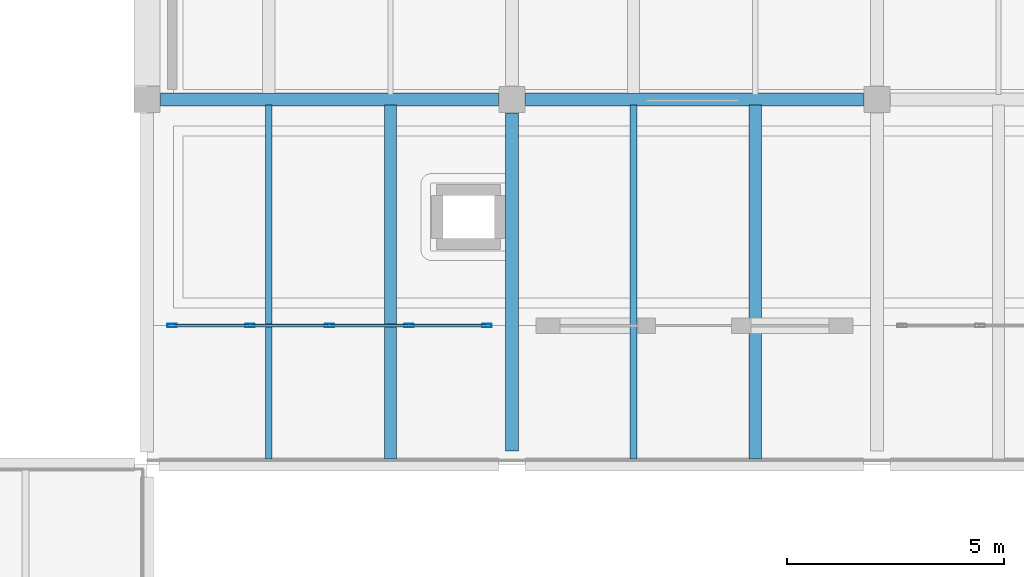
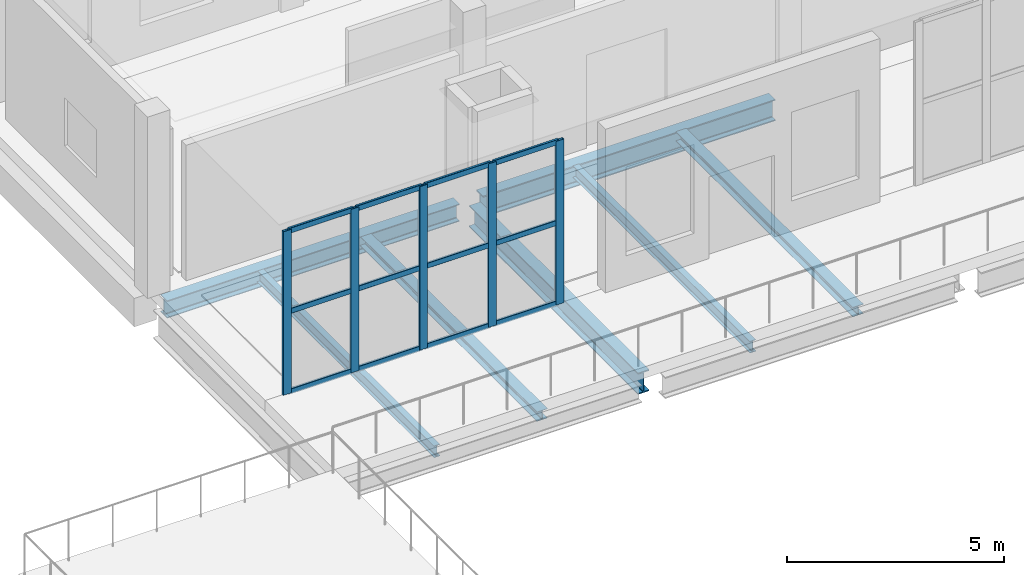
# One storey, part 28 of 77: 17 members, 7 beams, 1 element without a shape of its own.
"""IFC4 building model written with IfcOpenShell, lengths in metres."""

from ifc_helpers import new_model, si_unit, direction, frame, origin, origin_2d, place, context, subcontext, project, spatial, hollow_rectangle, i_section, extrude, material, layer, layer_set, material_profile, profile_set, type_object, element, aggregate, save


model = new_model("IFC4")

# Units and contexts
model_context = context("Model", 3, precision=1e-05, world=origin(), true_north=direction((0.0, 1.0)))
body_context = subcontext(model_context, "Body", "Model", "MODEL_VIEW")
ifc_project = project(units=[si_unit("LENGTHUNIT", "METRE"), si_unit("AREAUNIT", "SQUARE_METRE"), si_unit("VOLUMEUNIT", "CUBIC_METRE"), si_unit("PLANEANGLEUNIT", "RADIAN"), si_unit("MASSUNIT", "GRAM", prefix="KILO")], contexts=[model_context])

# Site, building, storey
site_placement = place(None, origin())
site = spatial("IfcSite", under=ifc_project, at=site_placement, CompositionType="ELEMENT")
building_placement = place(site_placement, origin())
building = spatial("IfcBuilding", under=site, at=building_placement, Name="Zulmaris Art Gallery", CompositionType="ELEMENT")
storey_placement = place(building_placement, frame((0.0, 0.0, 15.60009765625)))
storey = spatial("IfcBuildingStorey", under=building, at=storey_placement, Name="L03", CompositionType="ELEMENT", Elevation=15.60009765625)

# Beams
ifc_material_1 = material(Name="Steel S355J2", Category="steel")
ifc_material_profile_1 = material_profile(ifc_material_1, i_section(OverallWidth=0.300048828125, OverallDepth=0.489990234375, WebThickness=0.011962890625, FlangeThickness=0.02294921875, FilletRadius=0.027099609375, at=origin_2d()), Name="HEA 500")
ifc_profile_set_1 = profile_set([ifc_material_profile_1], Name="Steel S355J2")
beam_type_1 = type_object("IfcBeamType", Name="BEAM-BM11", PredefinedType="BEAM", material=ifc_profile_set_1)
beam_1_placement = place(storey_placement, frame((91.510009765625, 67.199951171875, -0.614990234375), z_axis=(1.0, 0.0, 0.0), x_axis=(0.0, 1.0, 0.0)))
element("IfcBeam", 1, at=beam_1_placement, inside=storey, type_object=beam_type_1, Name="L03 X-girder (91.2..99.6, y=67.2)", PredefinedType="BEAM", context=body_context, shape_type="SweptSolid", body=[
    extrude(i_section(OverallWidth=0.300048828125, OverallDepth=0.489990234375, WebThickness=0.011962890625, FlangeThickness=0.02294921875, FilletRadius=0.027099609375, at=origin_2d()), origin(), (0.0, 0.0, 1.0), 7.780029296875),
])
ifc_material_profile_2 = material_profile(ifc_material_1, i_section(OverallWidth=0.300048828125, OverallDepth=0.60009765625, WebThickness=0.015380859375, FlangeThickness=0.030029296875, FilletRadius=0.027099609375, at=origin_2d()), Name="HEB 600")
ifc_profile_set_2 = profile_set([ifc_material_profile_2], Name="Steel S355J2")
beam_type_2 = type_object("IfcBeamType", Name="BEAM-BM15", PredefinedType="BEAM", material=ifc_profile_set_2)
beam_2_placement = place(storey_placement, frame((99.909912109375, 67.199951171875, -0.670166015625), z_axis=(1.0, 0.0, 0.0), x_axis=(0.0, 1.0, 0.0)))
element("IfcBeam", 2, at=beam_2_placement, inside=storey, type_object=beam_type_2, Name="L03 X-girder (99.6..108.0, y=67.2)", PredefinedType="BEAM", context=body_context, shape_type="SweptSolid", body=[
    extrude(i_section(OverallWidth=0.300048828125, OverallDepth=0.60009765625, WebThickness=0.015380859375, FlangeThickness=0.030029296875, FilletRadius=0.027099609375, at=origin_2d()), origin(), (0.0, 0.0, 1.0), 7.780029296875),
])
beam_3_placement = place(storey_placement, frame((99.60009765625, 59.110107421875, -0.670166015625), z_axis=(0.0, 1.0, 0.0), x_axis=(-1.0, 0.0, 0.0)))
element("IfcBeam", 3, at=beam_3_placement, inside=storey, type_object=beam_type_2, Name="L03 Y-girder (x=99.6, 58.8..67.2)", PredefinedType="BEAM", context=body_context, shape_type="SweptSolid", body=[
    extrude(i_section(OverallWidth=0.300048828125, OverallDepth=0.60009765625, WebThickness=0.015380859375, FlangeThickness=0.030029296875, FilletRadius=0.027099609375, at=origin_2d()), origin(), (0.0, 0.0, 1.0), 7.77978515625),
])
ifc_material_profile_3 = material_profile(ifc_material_1, i_section(OverallWidth=0.159912109375, OverallDepth=0.330078125, WebThickness=0.007568359375, FlangeThickness=0.011474609375, FilletRadius=0.01806640625, at=origin_2d()), Name="IPE 330")
ifc_profile_set_3 = profile_set([ifc_material_profile_3], Name="Steel S355J2")
beam_type_3 = type_object("IfcBeamType", Name="BEAM-JS03", PredefinedType="JOIST", material=ifc_profile_set_3)
for number, where, z_axis, x_axis, name in (
    (4, (94.0, 58.925048828125, -0.53515625), (0.0, 1.0, 0.0), (-1.0, 0.0, 0.0), "L03 secondary joist at x=94.0"),
    (5, (102.39990234375, 58.925048828125, -0.53515625), (0.0, 1.0, 0.0), (-1.0, 0.0, 0.0), "L03 secondary joist at x=102.4"),
):
    element("IfcBeam", number, at=place(storey_placement, frame(where, z_axis=z_axis, x_axis=x_axis)), inside=storey, type_object=beam_type_3, Name=name, PredefinedType="JOIST", context=body_context, shape_type="SweptSolid", body=[
        extrude(i_section(OverallWidth=0.159912109375, OverallDepth=0.330078125, WebThickness=0.007568359375, FlangeThickness=0.011474609375, FilletRadius=0.01806640625, at=origin_2d()), origin(), (0.0, 0.0, 1.0), 8.14990234375),
    ])
ifc_material_profile_4 = material_profile(ifc_material_1, i_section(OverallWidth=0.280029296875, OverallDepth=0.27001953125, WebThickness=0.008056640625, FlangeThickness=0.012939453125, FilletRadius=0.02392578125, at=origin_2d()), Name="HEA 280")
ifc_profile_set_4 = profile_set([ifc_material_profile_4], Name="Steel S355J2")
beam_type_4 = type_object("IfcBeamType", Name="BEAM-JS04", PredefinedType="JOIST", material=ifc_profile_set_4)
for number, where, z_axis, x_axis, name in (
    (6, (96.800048828125, 58.925048828125, -0.505126953125), (0.0, 1.0, 0.0), (-1.0, 0.0, 0.0), "L03 secondary joist at x=96.8"),
    (7, (105.199951171875, 58.925048828125, -0.505126953125), (0.0, 1.0, 0.0), (-1.0, 0.0, 0.0), "L03 secondary joist at x=105.2"),
):
    element("IfcBeam", number, at=place(storey_placement, frame(where, z_axis=z_axis, x_axis=x_axis)), inside=storey, type_object=beam_type_4, Name=name, PredefinedType="JOIST", context=body_context, shape_type="SweptSolid", body=[
        extrude(i_section(OverallWidth=0.280029296875, OverallDepth=0.27001953125, WebThickness=0.008056640625, FlangeThickness=0.012939453125, FilletRadius=0.02392578125, at=origin_2d()), origin(), (0.0, 0.0, 1.0), 8.14990234375),
    ])

# Curtain wall, members
ifc_material_2 = material(Name="Unitised Low-E Gallery Curtain Wall", Category="aluminium")
ifc_layer = layer(ifc_material_2, 0.179931640625)
ifc_layer_set = layer_set([ifc_layer], Name="Unitised Low-E Gallery Curtain Wall")
curtain_wall_type = type_object("IfcCurtainWallType", Name="CW-CW01", PredefinedType="NOTDEFINED", material=ifc_layer_set)
curtain_wall_placement = place(storey_placement, origin())
curtain_wall = element("IfcCurtainWall", 8, at=curtain_wall_placement, inside=storey, type_object=curtain_wall_type, Name="L03 curtain wall 114", PredefinedType="NOTDEFINED")
ifc_material_3 = material(Name="Anodised Bronze Aluminium", Category="aluminium")
ifc_material_profile_5 = material_profile(ifc_material_3, hollow_rectangle(XDim=0.074951171875, YDim=0.219970703125, WallThickness=0.0048828125, InnerFilletRadius=0.007568359375, OuterFilletRadius=0.012451171875, at=origin_2d()), Name="ALU 75x220x5")
ifc_profile_set_5 = profile_set([ifc_material_profile_5], Name="Anodised Bronze Aluminium")
member_type_1 = type_object("IfcMemberType", Name="CWMUL-02", PredefinedType="MULLION", material=ifc_profile_set_5)
member_1_placement = place(storey_placement, frame((91.777587890625, 62.0, 0.0), z_axis=(0.0, 0.0, 1.0), x_axis=(0.0, 1.0, 0.0)))
member_1 = element("IfcMember", 9, at=member_1_placement, type_object=member_type_1, Name="CW01 mullion 1", PredefinedType="MULLION", context=body_context, shape_type="SweptSolid", body=[
    extrude(hollow_rectangle(XDim=0.074951171875, YDim=0.219970703125, WallThickness=0.0048828125, InnerFilletRadius=0.007568359375, OuterFilletRadius=0.012451171875, at=origin_2d()), origin(), (0.0, 0.0, 1.0), 4.599853515625),
])
member_2_placement = place(storey_placement, frame((93.570068359375, 62.0, 0.0), z_axis=(0.0, 0.0, 1.0), x_axis=(0.0, 1.0, 0.0)))
member_2 = element("IfcMember", 10, at=member_2_placement, type_object=member_type_1, Name="CW01 mullion 2", PredefinedType="MULLION", context=body_context, shape_type="SweptSolid", body=[
    extrude(hollow_rectangle(XDim=0.074951171875, YDim=0.219970703125, WallThickness=0.0048828125, InnerFilletRadius=0.007568359375, OuterFilletRadius=0.012451171875, at=origin_2d()), origin(), (0.0, 0.0, 1.0), 4.599853515625),
])
member_3_placement = place(storey_placement, frame((95.39990234375, 62.0, 0.0), z_axis=(0.0, 0.0, 1.0), x_axis=(0.0, 1.0, 0.0)))
member_3 = element("IfcMember", 11, at=member_3_placement, type_object=member_type_1, Name="CW01 mullion 3", PredefinedType="MULLION", context=body_context, shape_type="SweptSolid", body=[
    extrude(hollow_rectangle(XDim=0.074951171875, YDim=0.219970703125, WallThickness=0.0048828125, InnerFilletRadius=0.007568359375, OuterFilletRadius=0.012451171875, at=origin_2d()), origin(), (0.0, 0.0, 1.0), 4.599853515625),
])
member_4_placement = place(storey_placement, frame((97.22998046875, 62.0, 0.0), z_axis=(0.0, 0.0, 1.0), x_axis=(0.0, 1.0, 0.0)))
member_4 = element("IfcMember", 12, at=member_4_placement, type_object=member_type_1, Name="CW01 mullion 4", PredefinedType="MULLION", context=body_context, shape_type="SweptSolid", body=[
    extrude(hollow_rectangle(XDim=0.074951171875, YDim=0.219970703125, WallThickness=0.0048828125, InnerFilletRadius=0.007568359375, OuterFilletRadius=0.012451171875, at=origin_2d()), origin(), (0.0, 0.0, 1.0), 4.599853515625),
])
member_5_placement = place(storey_placement, frame((99.0224609375, 62.0, 0.0), z_axis=(0.0, 0.0, 1.0), x_axis=(0.0, 1.0, 0.0)))
member_5 = element("IfcMember", 13, at=member_5_placement, type_object=member_type_1, Name="CW01 mullion 5", PredefinedType="MULLION", context=body_context, shape_type="SweptSolid", body=[
    extrude(hollow_rectangle(XDim=0.074951171875, YDim=0.219970703125, WallThickness=0.0048828125, InnerFilletRadius=0.007568359375, OuterFilletRadius=0.012451171875, at=origin_2d()), origin(), (0.0, 0.0, 1.0), 4.599853515625),
])
ifc_material_profile_6 = material_profile(ifc_material_3, hollow_rectangle(XDim=0.06494140625, YDim=0.14990234375, WallThickness=0.00390625, InnerFilletRadius=0.006103515625, OuterFilletRadius=0.010009765625, at=origin_2d()), Name="ALU 65x150x4")
ifc_profile_set_6 = profile_set([ifc_material_profile_6], Name="Anodised Bronze Aluminium")
member_type_2 = type_object("IfcMemberType", Name="CWTRN-01", PredefinedType="USERDEFINED", material=ifc_profile_set_6)
member_6_placement = place(storey_placement, frame((91.81494140625, 62.0, 0.037353515625), z_axis=(1.0, 0.0, 0.0), x_axis=(0.0, 1.0, 0.0)))
member_6 = element("IfcMember", 14, at=member_6_placement, type_object=member_type_2, Name="CW01 transom 1.1", ObjectType="TRANSOM", PredefinedType="USERDEFINED", context=body_context, shape_type="SweptSolid", body=[
    extrude(hollow_rectangle(XDim=0.06494140625, YDim=0.14990234375, WallThickness=0.00390625, InnerFilletRadius=0.006103515625, OuterFilletRadius=0.010009765625, at=origin_2d()), origin(), (0.0, 0.0, 1.0), 1.717529296875),
])
member_7_placement = place(storey_placement, frame((91.81494140625, 62.0, 2.2998046875), z_axis=(1.0, 0.0, 0.0), x_axis=(0.0, 1.0, 0.0)))
member_7 = element("IfcMember", 15, at=member_7_placement, type_object=member_type_2, Name="CW01 transom 1.2", ObjectType="TRANSOM", PredefinedType="USERDEFINED", context=body_context, shape_type="SweptSolid", body=[
    extrude(hollow_rectangle(XDim=0.06494140625, YDim=0.14990234375, WallThickness=0.00390625, InnerFilletRadius=0.006103515625, OuterFilletRadius=0.010009765625, at=origin_2d()), origin(), (0.0, 0.0, 1.0), 1.717529296875),
])
member_8_placement = place(storey_placement, frame((91.81494140625, 62.0, 4.5625), z_axis=(1.0, 0.0, 0.0), x_axis=(0.0, 1.0, 0.0)))
member_8 = element("IfcMember", 16, at=member_8_placement, type_object=member_type_2, Name="CW01 transom 1.3", ObjectType="TRANSOM", PredefinedType="USERDEFINED", context=body_context, shape_type="SweptSolid", body=[
    extrude(hollow_rectangle(XDim=0.06494140625, YDim=0.14990234375, WallThickness=0.00390625, InnerFilletRadius=0.006103515625, OuterFilletRadius=0.010009765625, at=origin_2d()), origin(), (0.0, 0.0, 1.0), 1.717529296875),
])
member_9_placement = place(storey_placement, frame((93.607421875, 62.0, 0.037353515625), z_axis=(1.0, 0.0, 0.0), x_axis=(0.0, 1.0, 0.0)))
member_9 = element("IfcMember", 17, at=member_9_placement, type_object=member_type_2, Name="CW01 transom 2.1", ObjectType="TRANSOM", PredefinedType="USERDEFINED", context=body_context, shape_type="SweptSolid", body=[
    extrude(hollow_rectangle(XDim=0.06494140625, YDim=0.14990234375, WallThickness=0.00390625, InnerFilletRadius=0.006103515625, OuterFilletRadius=0.010009765625, at=origin_2d()), origin(), (0.0, 0.0, 1.0), 1.755126953125),
])
member_10_placement = place(storey_placement, frame((93.607421875, 62.0, 2.2998046875), z_axis=(1.0, 0.0, 0.0), x_axis=(0.0, 1.0, 0.0)))
member_10 = element("IfcMember", 18, at=member_10_placement, type_object=member_type_2, Name="CW01 transom 2.2", ObjectType="TRANSOM", PredefinedType="USERDEFINED", context=body_context, shape_type="SweptSolid", body=[
    extrude(hollow_rectangle(XDim=0.06494140625, YDim=0.14990234375, WallThickness=0.00390625, InnerFilletRadius=0.006103515625, OuterFilletRadius=0.010009765625, at=origin_2d()), origin(), (0.0, 0.0, 1.0), 1.755126953125),
])
member_11_placement = place(storey_placement, frame((93.607421875, 62.0, 4.5625), z_axis=(1.0, 0.0, 0.0), x_axis=(0.0, 1.0, 0.0)))
member_11 = element("IfcMember", 19, at=member_11_placement, type_object=member_type_2, Name="CW01 transom 2.3", ObjectType="TRANSOM", PredefinedType="USERDEFINED", context=body_context, shape_type="SweptSolid", body=[
    extrude(hollow_rectangle(XDim=0.06494140625, YDim=0.14990234375, WallThickness=0.00390625, InnerFilletRadius=0.006103515625, OuterFilletRadius=0.010009765625, at=origin_2d()), origin(), (0.0, 0.0, 1.0), 1.755126953125),
])
member_12_placement = place(storey_placement, frame((95.4375, 62.0, 0.037353515625), z_axis=(1.0, 0.0, 0.0), x_axis=(0.0, 1.0, 0.0)))
member_12 = element("IfcMember", 20, at=member_12_placement, type_object=member_type_2, Name="CW01 transom 3.1", ObjectType="TRANSOM", PredefinedType="USERDEFINED", context=body_context, shape_type="SweptSolid", body=[
    extrude(hollow_rectangle(XDim=0.06494140625, YDim=0.14990234375, WallThickness=0.00390625, InnerFilletRadius=0.006103515625, OuterFilletRadius=0.010009765625, at=origin_2d()), origin(), (0.0, 0.0, 1.0), 1.7548828125),
])
member_13_placement = place(storey_placement, frame((95.4375, 62.0, 2.2998046875), z_axis=(1.0, 0.0, 0.0), x_axis=(0.0, 1.0, 0.0)))
member_13 = element("IfcMember", 21, at=member_13_placement, type_object=member_type_2, Name="CW01 transom 3.2", ObjectType="TRANSOM", PredefinedType="USERDEFINED", context=body_context, shape_type="SweptSolid", body=[
    extrude(hollow_rectangle(XDim=0.06494140625, YDim=0.14990234375, WallThickness=0.00390625, InnerFilletRadius=0.006103515625, OuterFilletRadius=0.010009765625, at=origin_2d()), origin(), (0.0, 0.0, 1.0), 1.7548828125),
])
member_14_placement = place(storey_placement, frame((95.4375, 62.0, 4.5625), z_axis=(1.0, 0.0, 0.0), x_axis=(0.0, 1.0, 0.0)))
member_14 = element("IfcMember", 22, at=member_14_placement, type_object=member_type_2, Name="CW01 transom 3.3", ObjectType="TRANSOM", PredefinedType="USERDEFINED", context=body_context, shape_type="SweptSolid", body=[
    extrude(hollow_rectangle(XDim=0.06494140625, YDim=0.14990234375, WallThickness=0.00390625, InnerFilletRadius=0.006103515625, OuterFilletRadius=0.010009765625, at=origin_2d()), origin(), (0.0, 0.0, 1.0), 1.7548828125),
])
member_15_placement = place(storey_placement, frame((97.267578125, 62.0, 0.037353515625), z_axis=(1.0, 0.0, 0.0), x_axis=(0.0, 1.0, 0.0)))
member_15 = element("IfcMember", 23, at=member_15_placement, type_object=member_type_2, Name="CW01 transom 4.1", ObjectType="TRANSOM", PredefinedType="USERDEFINED", context=body_context, shape_type="SweptSolid", body=[
    extrude(hollow_rectangle(XDim=0.06494140625, YDim=0.14990234375, WallThickness=0.00390625, InnerFilletRadius=0.006103515625, OuterFilletRadius=0.010009765625, at=origin_2d()), origin(), (0.0, 0.0, 1.0), 1.717529296875),
])
member_16_placement = place(storey_placement, frame((97.267578125, 62.0, 2.2998046875), z_axis=(1.0, 0.0, 0.0), x_axis=(0.0, 1.0, 0.0)))
member_16 = element("IfcMember", 24, at=member_16_placement, type_object=member_type_2, Name="CW01 transom 4.2", ObjectType="TRANSOM", PredefinedType="USERDEFINED", context=body_context, shape_type="SweptSolid", body=[
    extrude(hollow_rectangle(XDim=0.06494140625, YDim=0.14990234375, WallThickness=0.00390625, InnerFilletRadius=0.006103515625, OuterFilletRadius=0.010009765625, at=origin_2d()), origin(), (0.0, 0.0, 1.0), 1.717529296875),
])
member_17_placement = place(storey_placement, frame((97.267578125, 62.0, 4.5625), z_axis=(1.0, 0.0, 0.0), x_axis=(0.0, 1.0, 0.0)))
member_17 = element("IfcMember", 25, at=member_17_placement, type_object=member_type_2, Name="CW01 transom 4.3", ObjectType="TRANSOM", PredefinedType="USERDEFINED", context=body_context, shape_type="SweptSolid", body=[
    extrude(hollow_rectangle(XDim=0.06494140625, YDim=0.14990234375, WallThickness=0.00390625, InnerFilletRadius=0.006103515625, OuterFilletRadius=0.010009765625, at=origin_2d()), origin(), (0.0, 0.0, 1.0), 1.717529296875),
])
aggregate(curtain_wall, [member_1, member_2, member_3, member_4, member_5, member_6, member_7, member_8, member_9, member_10, member_11, member_12, member_13, member_14, member_15, member_16, member_17])

save(model, "model.ifc")
